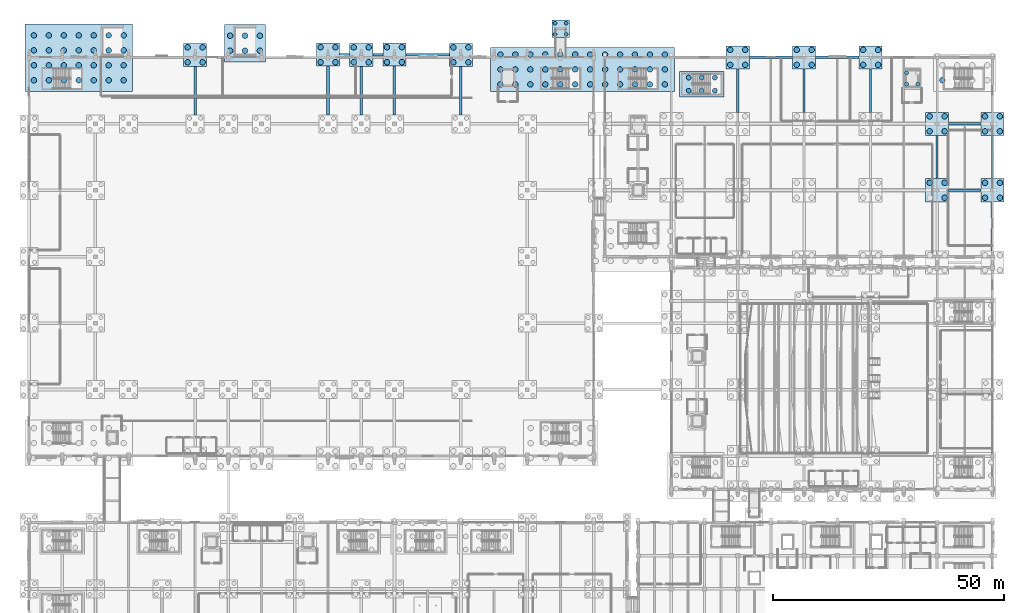
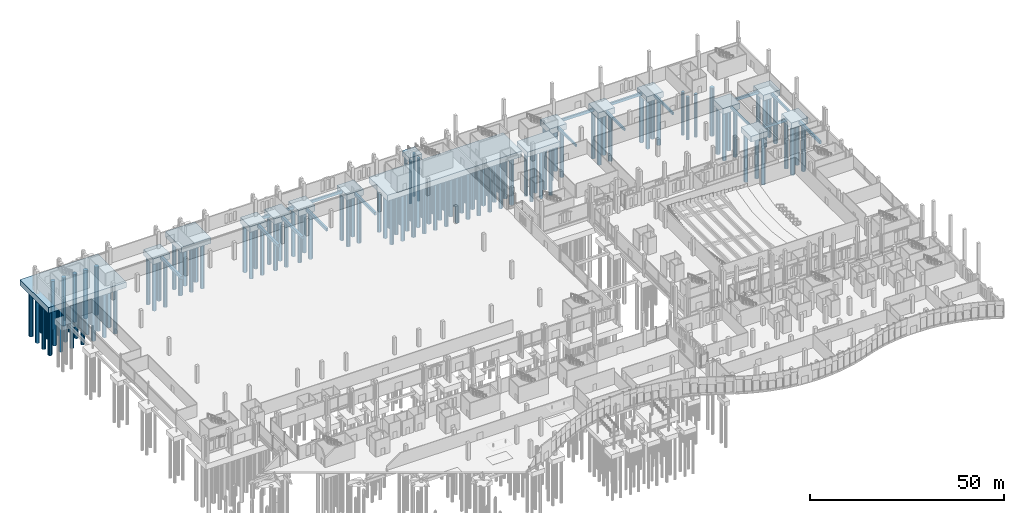
# One storey, part 7 of 192: 131 piles, 35 footings.
"""IFC4 building model written with IfcOpenShell, lengths in metres."""

from ifc_helpers import new_model, si_unit, direction, frame, origin, origin_2d, place, context, subcontext, project, spatial, rectangle, circle, extrude, material, material_profile, profile_set, type_object, element, save


model = new_model("IFC4")

# Units and contexts
model_context = context("Model", 3, precision=1e-05, world=origin(), true_north=direction((0.0, 1.0)))
body_context = subcontext(model_context, "Body", "Model", "MODEL_VIEW")
ifc_project = project(units=[si_unit("LENGTHUNIT", "METRE"), si_unit("AREAUNIT", "SQUARE_METRE"), si_unit("VOLUMEUNIT", "CUBIC_METRE"), si_unit("PLANEANGLEUNIT", "RADIAN"), si_unit("MASSUNIT", "GRAM", prefix="KILO")], contexts=[model_context])

# Site, building, storey
site_placement = place(None, origin())
site = spatial("IfcSite", under=ifc_project, at=site_placement, CompositionType="ELEMENT")
building_placement = place(site_placement, origin())
building = spatial("IfcBuilding", under=site, at=building_placement, Name="Cendralis Lancet Convention Centre", CompositionType="ELEMENT")
storey_placement = place(building_placement, origin())
storey = spatial("IfcBuildingStorey", under=building, at=storey_placement, Name="L00", CompositionType="ELEMENT", Elevation=0.0)

# Footings
ifc_material = material(Name="Concrete G35 (C35/45)", Category="concrete")
footing_type_1 = type_object("IfcFootingType", Name="STR-FT-PC12", PredefinedType="PILE_CAP", material=ifc_material)
footing_1_placement = place(storey_placement, frame((145.800048828125, 130.989990234375, -3.300048828125), z_axis=(0.0, 0.0, 1.0), x_axis=(1.0, 0.0, 0.0)))
element("IfcFooting", 1, at=footing_1_placement, inside=storey, type_object=footing_type_1, Name="Pile Cap PC-12 #160", PredefinedType="PILE_CAP", context=body_context, shape_type="SweptSolid", body=[
    extrude(rectangle(XDim=9.60009765625, YDim=5.60009765625, at=origin_2d()), origin(), (0.0, 0.0, 1.0), 1.64990234375),
])
footing_type_2 = type_object("IfcFootingType", Name="STR-FT-PC14", PredefinedType="PILE_CAP", material=ifc_material)
footing_2_placement = place(storey_placement, frame((10.78759765625, 136.699951171875, -3.4501953125), z_axis=(0.0, 0.0, 1.0), x_axis=(1.0, 0.0, 0.0)))
element("IfcFooting", 2, at=footing_2_placement, inside=storey, type_object=footing_type_2, Name="Pile Cap PC-14 #054", PredefinedType="PILE_CAP", context=body_context, shape_type="SweptSolid", body=[
    extrude(rectangle(XDim=23.199951171875, YDim=14.60009765625, at=origin_2d()), origin(), (0.0, 0.0, 1.0), 1.800048828125),
])
footing_type_3 = type_object("IfcFootingType", Name="STR-FT-PC16", PredefinedType="PILE_CAP", material=ifc_material)
for number, where, z_axis, x_axis, name in (
    (3, (36.0, 137.35498046875, -3.4501953125), (0.0, 0.0, 1.0), (1.0, 0.0, 0.0), "Pile Cap PC-16 #073"),
    (4, (64.800048828125, 137.3798828125, -3.4501953125), (0.0, 0.0, 1.0), (1.0, 0.0, 0.0), "Pile Cap PC-16 #096"),
    (5, (72.0, 137.35498046875, -3.4501953125), (0.0, 0.0, 1.0), (1.0, 0.0, 0.0), "Pile Cap PC-16 #104"),
    (6, (79.199951171875, 137.3798828125, -3.4501953125), (0.0, 0.0, 1.0), (1.0, 0.0, 0.0), "Pile Cap PC-16 #111"),
    (7, (93.60009765625, 137.35498046875, -3.4501953125), (0.0, 0.0, 1.0), (1.0, 0.0, 0.0), "Pile Cap PC-16 #118"),
    (8, (153.60009765625, 136.800048828125, -3.4501953125), (0.0, 0.0, 1.0), (1.0, 0.0, 0.0), "Pile Cap PC-16 #170"),
    (9, (168.0, 136.800048828125, -3.4501953125), (0.0, 0.0, 1.0), (1.0, 0.0, 0.0), "Pile Cap PC-16 #180"),
    (10, (182.39990234375, 136.800048828125, -3.4501953125), (0.0, 0.0, 1.0), (1.0, 0.0, 0.0), "Pile Cap PC-16 #191"),
    (11, (196.800048828125, 108.0, -3.4501953125), (0.0, 0.0, 1.0), (1.0, 0.0, 0.0), "Pile Cap PC-16 #197"),
    (12, (196.800048828125, 122.39990234375, -3.4501953125), (0.0, 0.0, 1.0), (1.0, 0.0, 0.0), "Pile Cap PC-16 #198"),
    (13, (208.800048828125, 108.0, -3.4501953125), (0.0, 0.0, 1.0), (1.0, 0.0, 0.0), "Pile Cap PC-16 #204"),
    (14, (208.800048828125, 122.39990234375, -3.4501953125), (0.0, 0.0, 1.0), (1.0, 0.0, 0.0), "Pile Cap PC-16 #205"),
):
    element("IfcFooting", number, at=place(storey_placement, frame(where, z_axis=z_axis, x_axis=x_axis)), inside=storey, type_object=footing_type_3, Name=name, PredefinedType="PILE_CAP", context=body_context, shape_type="SweptSolid", body=[
        extrude(rectangle(XDim=5.0, YDim=5.0, at=origin_2d()), origin(), (0.0, 0.0, 1.0), 1.800048828125),
    ])
footing_type_4 = type_object("IfcFootingType", Name="STR-FT-PC17", PredefinedType="PILE_CAP", material=ifc_material)
footing_3_placement = place(storey_placement, frame((46.8125, 139.875, -3.4501953125), z_axis=(0.0, 0.0, 1.0), x_axis=(1.0, 0.0, 0.0)))
element("IfcFooting", 15, at=footing_3_placement, inside=storey, type_object=footing_type_4, Name="Pile Cap PC-17 #083", PredefinedType="PILE_CAP", context=body_context, shape_type="SweptSolid", body=[
    extrude(rectangle(XDim=8.800048828125, YDim=8.199951171875, at=origin_2d()), origin(), (0.0, 0.0, 1.0), 1.800048828125),
])
footing_type_5 = type_object("IfcFootingType", Name="STR-FT-PC20", PredefinedType="PILE_CAP", material=ifc_material)
footing_4_placement = place(storey_placement, frame((115.199951171875, 143.0, -3.14990234375), z_axis=(0.0, 0.0, 1.0), x_axis=(1.0, 0.0, 0.0)))
element("IfcFooting", 16, at=footing_4_placement, inside=storey, type_object=footing_type_5, Name="Pile Cap PC-20 #136", PredefinedType="PILE_CAP", context=body_context, shape_type="SweptSolid", body=[
    extrude(rectangle(XDim=3.800048828125, YDim=3.800048828125, at=origin_2d()), origin(), (0.0, 0.0, 1.0), 1.5),
])
footing_type_6 = type_object("IfcFootingType", Name="STR-FT-PC24", PredefinedType="PILE_CAP", material=ifc_material)
footing_5_placement = place(storey_placement, frame((119.987548828125, 134.179931640625, -3.4501953125), z_axis=(0.0, 0.0, 1.0), x_axis=(1.0, 0.0, 0.0)))
element("IfcFooting", 17, at=footing_5_placement, inside=storey, type_object=footing_type_6, Name="Pile Cap PC-24 #137", PredefinedType="PILE_CAP", context=body_context, shape_type="SweptSolid", body=[
    extrude(rectangle(XDim=39.89990234375, YDim=9.60009765625, at=origin_2d()), origin(), (0.0, 0.0, 1.0), 1.800048828125),
])
ifc_material_profile_1 = material_profile(ifc_material, rectangle(XDim=0.550048828125, YDim=0.89990234375, at=origin_2d()), Name="RCB 550x900")
ifc_profile_set_1 = profile_set([ifc_material_profile_1], Name="Concrete G35 (C35/45)")
footing_type_7 = type_object("IfcFootingType", Name="STR-GB-GB02", PredefinedType="FOOTING_BEAM", material=ifc_profile_set_1)
footing_6_placement = place(storey_placement, frame((36.0, 124.35009765625, -2.10009765625), z_axis=(0.0, 1.0, 0.0), x_axis=(-1.0, 0.0, 0.0)))
element("IfcFooting", 18, at=footing_6_placement, inside=storey, type_object=footing_type_7, Name="Ground Tie Beam GB02 Y-173", PredefinedType="FOOTING_BEAM", context=body_context, shape_type="SweptSolid", body=[
    extrude(rectangle(XDim=0.550048828125, YDim=0.89990234375, at=origin_2d()), origin(), (0.0, 0.0, 1.0), 10.5048828125),
])
footing_7_placement = place(storey_placement, frame((64.800048828125, 124.35009765625, -2.10009765625), z_axis=(0.0, 1.0, 0.0), x_axis=(-1.0, 0.0, 0.0)))
element("IfcFooting", 19, at=footing_7_placement, inside=storey, type_object=footing_type_7, Name="Ground Tie Beam GB02 Y-185", PredefinedType="FOOTING_BEAM", context=body_context, shape_type="SweptSolid", body=[
    extrude(rectangle(XDim=0.550048828125, YDim=0.89990234375, at=origin_2d()), origin(), (0.0, 0.0, 1.0), 10.52978515625),
])
footing_8_placement = place(storey_placement, frame((72.0, 124.35009765625, -2.10009765625), z_axis=(0.0, 1.0, 0.0), x_axis=(-1.0, 0.0, 0.0)))
element("IfcFooting", 20, at=footing_8_placement, inside=storey, type_object=footing_type_7, Name="Ground Tie Beam GB02 Y-189", PredefinedType="FOOTING_BEAM", context=body_context, shape_type="SweptSolid", body=[
    extrude(rectangle(XDim=0.550048828125, YDim=0.89990234375, at=origin_2d()), origin(), (0.0, 0.0, 1.0), 10.5048828125),
])
footing_9_placement = place(storey_placement, frame((79.199951171875, 124.35009765625, -2.10009765625), z_axis=(0.0, 1.0, 0.0), x_axis=(-1.0, 0.0, 0.0)))
element("IfcFooting", 21, at=footing_9_placement, inside=storey, type_object=footing_type_7, Name="Ground Tie Beam GB02 Y-193", PredefinedType="FOOTING_BEAM", context=body_context, shape_type="SweptSolid", body=[
    extrude(rectangle(XDim=0.550048828125, YDim=0.89990234375, at=origin_2d()), origin(), (0.0, 0.0, 1.0), 10.52978515625),
])
footing_10_placement = place(storey_placement, frame((93.60009765625, 124.35009765625, -2.10009765625), z_axis=(0.0, 1.0, 0.0), x_axis=(-1.0, 0.0, 0.0)))
element("IfcFooting", 22, at=footing_10_placement, inside=storey, type_object=footing_type_7, Name="Ground Tie Beam GB02 Y-196", PredefinedType="FOOTING_BEAM", context=body_context, shape_type="SweptSolid", body=[
    extrude(rectangle(XDim=0.550048828125, YDim=0.89990234375, at=origin_2d()), origin(), (0.0, 0.0, 1.0), 10.5048828125),
])
footing_11_placement = place(storey_placement, frame((208.800048828125, 94.800048828125, -2.10009765625), z_axis=(0.0, 1.0, 0.0), x_axis=(-1.0, 0.0, 0.0)))
element("IfcFooting", 23, at=footing_11_placement, inside=storey, type_object=footing_type_7, Name="Ground Tie Beam GB02 Y-237", PredefinedType="FOOTING_BEAM", context=body_context, shape_type="SweptSolid", body=[
    extrude(rectangle(XDim=0.550048828125, YDim=0.89990234375, at=origin_2d()), origin(), (0.0, 0.0, 1.0), 10.699951171875),
])
ifc_material_profile_2 = material_profile(ifc_material, rectangle(XDim=0.5, YDim=0.85009765625, at=origin_2d()), Name="RCB 500x850")
ifc_profile_set_2 = profile_set([ifc_material_profile_2], Name="Concrete G35 (C35/45)")
footing_type_8 = type_object("IfcFootingType", Name="STR-GB-GB03", PredefinedType="FOOTING_BEAM", material=ifc_profile_set_2)
for number, where, z_axis, x_axis, name in (
    (24, (199.300048828125, 108.0, -2.074951171875), (1.0, 0.0, 0.0), (0.0, 1.0, 0.0), "Ground Tie Beam GB03 X-108"),
    (25, (199.300048828125, 122.39990234375, -2.074951171875), (1.0, 0.0, 0.0), (0.0, 1.0, 0.0), "Ground Tie Beam GB03 X-125"),
):
    element("IfcFooting", number, at=place(storey_placement, frame(where, z_axis=z_axis, x_axis=x_axis)), inside=storey, type_object=footing_type_8, Name=name, PredefinedType="FOOTING_BEAM", context=body_context, shape_type="SweptSolid", body=[
        extrude(rectangle(XDim=0.5, YDim=0.85009765625, at=origin_2d()), origin(), (0.0, 0.0, 1.0), 7.0),
    ])
for number, where, z_axis, x_axis, name in (
    (26, (156.10009765625, 136.800048828125, -2.074951171875), (1.0, 0.0, 0.0), (0.0, 1.0, 0.0), "Ground Tie Beam GB03 X-126"),
    (27, (170.5, 136.800048828125, -2.074951171875), (1.0, 0.0, 0.0), (0.0, 1.0, 0.0), "Ground Tie Beam GB03 X-127"),
):
    element("IfcFooting", number, at=place(storey_placement, frame(where, z_axis=z_axis, x_axis=x_axis)), inside=storey, type_object=footing_type_8, Name=name, PredefinedType="FOOTING_BEAM", context=body_context, shape_type="SweptSolid", body=[
        extrude(rectangle(XDim=0.5, YDim=0.85009765625, at=origin_2d()), origin(), (0.0, 0.0, 1.0), 9.39990234375),
    ])
for number, where, z_axis, x_axis, name in (
    (28, (67.300048828125, 137.367431640625, -2.074951171875), (1.0, 0.0, 0.0), (0.0, 1.0, 0.0), "Ground Tie Beam GB03 X-128"),
    (29, (74.5, 137.367431640625, -2.074951171875), (1.0, 0.0, 0.0), (0.0, 1.0, 0.0), "Ground Tie Beam GB03 X-129"),
):
    element("IfcFooting", number, at=place(storey_placement, frame(where, z_axis=z_axis, x_axis=x_axis)), inside=storey, type_object=footing_type_8, Name=name, PredefinedType="FOOTING_BEAM", context=body_context, shape_type="SweptSolid", body=[
        extrude(rectangle(XDim=0.5, YDim=0.85009765625, at=origin_2d()), origin(), (0.0, 0.0, 1.0), 2.199951171875),
    ])
footing_12_placement = place(storey_placement, frame((81.699951171875, 137.367431640625, -2.074951171875), z_axis=(1.0, 0.0, 0.0), x_axis=(0.0, 1.0, 0.0)))
element("IfcFooting", 30, at=footing_12_placement, inside=storey, type_object=footing_type_8, Name="Ground Tie Beam GB03 X-130", PredefinedType="FOOTING_BEAM", context=body_context, shape_type="SweptSolid", body=[
    extrude(rectangle(XDim=0.5, YDim=0.85009765625, at=origin_2d()), origin(), (0.0, 0.0, 1.0), 9.400146484375),
])
ifc_material_profile_3 = material_profile(ifc_material, rectangle(XDim=0.449951171875, YDim=0.75, at=origin_2d()), Name="RCB 450x750")
ifc_profile_set_3 = profile_set([ifc_material_profile_3], Name="Concrete G35 (C35/45)")
footing_type_9 = type_object("IfcFootingType", Name="STR-GB-GB04", PredefinedType="FOOTING_BEAM", material=ifc_profile_set_3)
for number, where, z_axis, x_axis, name in (
    (31, (153.60009765625, 124.89990234375, -2.02490234375), (0.0, 1.0, 0.0), (-1.0, 0.0, 0.0), "Ground Tie Beam GB04 Y-221"),
    (32, (168.0, 124.89990234375, -2.02490234375), (0.0, 1.0, 0.0), (-1.0, 0.0, 0.0), "Ground Tie Beam GB04 Y-226"),
    (33, (182.39990234375, 124.89990234375, -2.02490234375), (0.0, 1.0, 0.0), (-1.0, 0.0, 0.0), "Ground Tie Beam GB04 Y-234"),
):
    element("IfcFooting", number, at=place(storey_placement, frame(where, z_axis=z_axis, x_axis=x_axis)), inside=storey, type_object=footing_type_9, Name=name, PredefinedType="FOOTING_BEAM", context=body_context, shape_type="SweptSolid", body=[
        extrude(rectangle(XDim=0.449951171875, YDim=0.75, at=origin_2d()), origin(), (0.0, 0.0, 1.0), 9.400146484375),
    ])
for number, where, z_axis, x_axis, name in (
    (34, (196.800048828125, 110.5, -2.02490234375), (0.0, 1.0, 0.0), (-1.0, 0.0, 0.0), "Ground Tie Beam GB04 Y-236"),
    (35, (208.800048828125, 110.5, -2.02490234375), (0.0, 1.0, 0.0), (-1.0, 0.0, 0.0), "Ground Tie Beam GB04 Y-238"),
):
    element("IfcFooting", number, at=place(storey_placement, frame(where, z_axis=z_axis, x_axis=x_axis)), inside=storey, type_object=footing_type_9, Name=name, PredefinedType="FOOTING_BEAM", context=body_context, shape_type="SweptSolid", body=[
        extrude(rectangle(XDim=0.449951171875, YDim=0.75, at=origin_2d()), origin(), (0.0, 0.0, 1.0), 9.39990234375),
    ])

# Piles
ifc_material_profile_4 = material_profile(ifc_material, circle(Radius=0.52490234375, at=origin_2d()), Name="BORED PILE D1050")
ifc_profile_set_4 = profile_set([ifc_material_profile_4], Name="Concrete G35 (C35/45)")
pile_type_1 = type_object("IfcPileType", Name="STR-PL-P1050", PredefinedType="BORED", material=ifc_profile_set_4)
for number, where, z_axis, x_axis, name in (
    (36, (142.9599609375, 129.570068359375, -3.14990234375), (0.0, 0.0, -1.0), (1.0, 0.0, 0.0), "Bored Pile P-1050 FT2-PC-12-160-P1"),
    (37, (142.9599609375, 132.409912109375, -3.14990234375), (0.0, 0.0, -1.0), (1.0, 0.0, 0.0), "Bored Pile P-1050 FT2-PC-12-160-P2"),
    (38, (145.800048828125, 129.570068359375, -3.14990234375), (0.0, 0.0, -1.0), (1.0, 0.0, 0.0), "Bored Pile P-1050 FT2-PC-12-160-P3"),
    (39, (145.800048828125, 132.409912109375, -3.14990234375), (0.0, 0.0, -1.0), (1.0, 0.0, 0.0), "Bored Pile P-1050 FT2-PC-12-160-P4"),
    (40, (148.639892578125, 129.570068359375, -3.14990234375), (0.0, 0.0, -1.0), (1.0, 0.0, 0.0), "Bored Pile P-1050 FT2-PC-12-160-P5"),
    (41, (148.639892578125, 132.409912109375, -3.14990234375), (0.0, 0.0, -1.0), (1.0, 0.0, 0.0), "Bored Pile P-1050 FT2-PC-12-160-P6"),
):
    element("IfcPile", number, at=place(storey_placement, frame(where, z_axis=z_axis, x_axis=x_axis)), inside=storey, type_object=pile_type_1, Name=name, PredefinedType="BORED", context=body_context, shape_type="SweptSolid", body=[
        extrude(circle(Radius=0.52490234375, at=origin_2d()), origin(), (0.0, 0.0, 1.0), 15.35009765625),
    ])
ifc_material_profile_5 = material_profile(ifc_material, circle(Radius=0.60009765625, at=origin_2d()), Name="BORED PILE D1200")
ifc_profile_set_5 = profile_set([ifc_material_profile_5], Name="Concrete G35 (C35/45)")
pile_type_2 = type_object("IfcPileType", Name="STR-PL-P1200", PredefinedType="BORED", material=ifc_profile_set_5)
for number, where, z_axis, x_axis, name in (
    (42, (1.0673828125, 131.840087890625, -3.300048828125), (0.0, 0.0, -1.0), (1.0, 0.0, 0.0), "Bored Pile P-1200 FT2-PC-14-054-P1"),
    (43, (1.0673828125, 135.080078125, -3.300048828125), (0.0, 0.0, -1.0), (1.0, 0.0, 0.0), "Bored Pile P-1200 FT2-PC-14-054-P2"),
    (44, (1.0673828125, 138.320068359375, -3.300048828125), (0.0, 0.0, -1.0), (1.0, 0.0, 0.0), "Bored Pile P-1200 FT2-PC-14-054-P3"),
    (45, (1.0673828125, 141.56005859375, -3.300048828125), (0.0, 0.0, -1.0), (1.0, 0.0, 0.0), "Bored Pile P-1200 FT2-PC-14-054-P4"),
    (46, (4.3076171875, 131.840087890625, -3.300048828125), (0.0, 0.0, -1.0), (1.0, 0.0, 0.0), "Bored Pile P-1200 FT2-PC-14-054-P5"),
    (47, (4.3076171875, 135.080078125, -3.300048828125), (0.0, 0.0, -1.0), (1.0, 0.0, 0.0), "Bored Pile P-1200 FT2-PC-14-054-P6"),
    (48, (4.3076171875, 138.320068359375, -3.300048828125), (0.0, 0.0, -1.0), (1.0, 0.0, 0.0), "Bored Pile P-1200 FT2-PC-14-054-P7"),
    (49, (4.3076171875, 141.56005859375, -3.300048828125), (0.0, 0.0, -1.0), (1.0, 0.0, 0.0), "Bored Pile P-1200 FT2-PC-14-054-P8"),
    (50, (7.547607421875, 131.840087890625, -3.300048828125), (0.0, 0.0, -1.0), (1.0, 0.0, 0.0), "Bored Pile P-1200 FT2-PC-14-054-P9"),
    (51, (7.547607421875, 135.080078125, -3.300048828125), (0.0, 0.0, -1.0), (1.0, 0.0, 0.0), "Bored Pile P-1200 FT2-PC-14-054-P10"),
    (52, (7.547607421875, 138.320068359375, -3.300048828125), (0.0, 0.0, -1.0), (1.0, 0.0, 0.0), "Bored Pile P-1200 FT2-PC-14-054-P11"),
    (53, (7.547607421875, 141.56005859375, -3.300048828125), (0.0, 0.0, -1.0), (1.0, 0.0, 0.0), "Bored Pile P-1200 FT2-PC-14-054-P12"),
    (54, (10.78759765625, 131.840087890625, -3.300048828125), (0.0, 0.0, -1.0), (1.0, 0.0, 0.0), "Bored Pile P-1200 FT2-PC-14-054-P13"),
    (55, (10.78759765625, 135.080078125, -3.300048828125), (0.0, 0.0, -1.0), (1.0, 0.0, 0.0), "Bored Pile P-1200 FT2-PC-14-054-P14"),
    (56, (10.78759765625, 138.320068359375, -3.300048828125), (0.0, 0.0, -1.0), (1.0, 0.0, 0.0), "Bored Pile P-1200 FT2-PC-14-054-P15"),
    (57, (10.78759765625, 141.56005859375, -3.300048828125), (0.0, 0.0, -1.0), (1.0, 0.0, 0.0), "Bored Pile P-1200 FT2-PC-14-054-P16"),
    (58, (14.027587890625, 131.840087890625, -3.300048828125), (0.0, 0.0, -1.0), (1.0, 0.0, 0.0), "Bored Pile P-1200 FT2-PC-14-054-P17"),
    (59, (14.027587890625, 135.080078125, -3.300048828125), (0.0, 0.0, -1.0), (1.0, 0.0, 0.0), "Bored Pile P-1200 FT2-PC-14-054-P18"),
    (60, (14.027587890625, 138.320068359375, -3.300048828125), (0.0, 0.0, -1.0), (1.0, 0.0, 0.0), "Bored Pile P-1200 FT2-PC-14-054-P19"),
    (61, (14.027587890625, 141.56005859375, -3.300048828125), (0.0, 0.0, -1.0), (1.0, 0.0, 0.0), "Bored Pile P-1200 FT2-PC-14-054-P20"),
    (62, (17.267578125, 131.840087890625, -3.300048828125), (0.0, 0.0, -1.0), (1.0, 0.0, 0.0), "Bored Pile P-1200 FT2-PC-14-054-P21"),
    (63, (17.267578125, 135.080078125, -3.300048828125), (0.0, 0.0, -1.0), (1.0, 0.0, 0.0), "Bored Pile P-1200 FT2-PC-14-054-P22"),
    (64, (17.267578125, 138.320068359375, -3.300048828125), (0.0, 0.0, -1.0), (1.0, 0.0, 0.0), "Bored Pile P-1200 FT2-PC-14-054-P23"),
    (65, (17.267578125, 141.56005859375, -3.300048828125), (0.0, 0.0, -1.0), (1.0, 0.0, 0.0), "Bored Pile P-1200 FT2-PC-14-054-P24"),
    (66, (20.507568359375, 131.840087890625, -3.300048828125), (0.0, 0.0, -1.0), (1.0, 0.0, 0.0), "Bored Pile P-1200 FT2-PC-14-054-P25"),
    (67, (20.507568359375, 135.080078125, -3.300048828125), (0.0, 0.0, -1.0), (1.0, 0.0, 0.0), "Bored Pile P-1200 FT2-PC-14-054-P26"),
    (68, (20.507568359375, 138.320068359375, -3.300048828125), (0.0, 0.0, -1.0), (1.0, 0.0, 0.0), "Bored Pile P-1200 FT2-PC-14-054-P27"),
    (69, (20.507568359375, 141.56005859375, -3.300048828125), (0.0, 0.0, -1.0), (1.0, 0.0, 0.0), "Bored Pile P-1200 FT2-PC-14-054-P28"),
    (70, (34.3798828125, 135.735107421875, -3.300048828125), (0.0, 0.0, -1.0), (1.0, 0.0, 0.0), "Bored Pile P-1200 FT2-PC-16-073-P1"),
    (71, (34.3798828125, 138.97509765625, -3.300048828125), (0.0, 0.0, -1.0), (1.0, 0.0, 0.0), "Bored Pile P-1200 FT2-PC-16-073-P2"),
    (72, (37.6201171875, 135.735107421875, -3.300048828125), (0.0, 0.0, -1.0), (1.0, 0.0, 0.0), "Bored Pile P-1200 FT2-PC-16-073-P3"),
    (73, (37.6201171875, 138.97509765625, -3.300048828125), (0.0, 0.0, -1.0), (1.0, 0.0, 0.0), "Bored Pile P-1200 FT2-PC-16-073-P4"),
    (74, (43.572509765625, 138.2548828125, -3.300048828125), (0.0, 0.0, -1.0), (1.0, 0.0, 0.0), "Bored Pile P-1200 FT2-PC-17-083-P1"),
    (75, (43.572509765625, 141.4951171875, -3.300048828125), (0.0, 0.0, -1.0), (1.0, 0.0, 0.0), "Bored Pile P-1200 FT2-PC-17-083-P2"),
    (76, (46.8125, 138.2548828125, -3.300048828125), (0.0, 0.0, -1.0), (1.0, 0.0, 0.0), "Bored Pile P-1200 FT2-PC-17-083-P3"),
    (77, (46.8125, 141.4951171875, -3.300048828125), (0.0, 0.0, -1.0), (1.0, 0.0, 0.0), "Bored Pile P-1200 FT2-PC-17-083-P4"),
    (78, (50.052490234375, 138.2548828125, -3.300048828125), (0.0, 0.0, -1.0), (1.0, 0.0, 0.0), "Bored Pile P-1200 FT2-PC-17-083-P5"),
    (79, (50.052490234375, 141.4951171875, -3.300048828125), (0.0, 0.0, -1.0), (1.0, 0.0, 0.0), "Bored Pile P-1200 FT2-PC-17-083-P6"),
    (80, (63.179931640625, 135.760009765625, -3.300048828125), (0.0, 0.0, -1.0), (1.0, 0.0, 0.0), "Bored Pile P-1200 FT2-PC-16-096-P1"),
    (81, (63.179931640625, 139.0, -3.300048828125), (0.0, 0.0, -1.0), (1.0, 0.0, 0.0), "Bored Pile P-1200 FT2-PC-16-096-P2"),
    (82, (66.419921875, 135.760009765625, -3.300048828125), (0.0, 0.0, -1.0), (1.0, 0.0, 0.0), "Bored Pile P-1200 FT2-PC-16-096-P3"),
    (83, (66.419921875, 139.0, -3.300048828125), (0.0, 0.0, -1.0), (1.0, 0.0, 0.0), "Bored Pile P-1200 FT2-PC-16-096-P4"),
    (84, (70.3798828125, 135.735107421875, -3.300048828125), (0.0, 0.0, -1.0), (1.0, 0.0, 0.0), "Bored Pile P-1200 FT2-PC-16-104-P1"),
    (85, (70.3798828125, 138.97509765625, -3.300048828125), (0.0, 0.0, -1.0), (1.0, 0.0, 0.0), "Bored Pile P-1200 FT2-PC-16-104-P2"),
    (86, (73.6201171875, 135.735107421875, -3.300048828125), (0.0, 0.0, -1.0), (1.0, 0.0, 0.0), "Bored Pile P-1200 FT2-PC-16-104-P3"),
    (87, (73.6201171875, 138.97509765625, -3.300048828125), (0.0, 0.0, -1.0), (1.0, 0.0, 0.0), "Bored Pile P-1200 FT2-PC-16-104-P4"),
    (88, (77.580078125, 135.760009765625, -3.300048828125), (0.0, 0.0, -1.0), (1.0, 0.0, 0.0), "Bored Pile P-1200 FT2-PC-16-111-P1"),
    (89, (77.580078125, 139.0, -3.300048828125), (0.0, 0.0, -1.0), (1.0, 0.0, 0.0), "Bored Pile P-1200 FT2-PC-16-111-P2"),
    (90, (80.820068359375, 135.760009765625, -3.300048828125), (0.0, 0.0, -1.0), (1.0, 0.0, 0.0), "Bored Pile P-1200 FT2-PC-16-111-P3"),
    (91, (80.820068359375, 139.0, -3.300048828125), (0.0, 0.0, -1.0), (1.0, 0.0, 0.0), "Bored Pile P-1200 FT2-PC-16-111-P4"),
    (92, (91.97998046875, 135.735107421875, -3.300048828125), (0.0, 0.0, -1.0), (1.0, 0.0, 0.0), "Bored Pile P-1200 FT2-PC-16-118-P1"),
    (93, (91.97998046875, 138.97509765625, -3.300048828125), (0.0, 0.0, -1.0), (1.0, 0.0, 0.0), "Bored Pile P-1200 FT2-PC-16-118-P2"),
    (94, (95.219970703125, 135.735107421875, -3.300048828125), (0.0, 0.0, -1.0), (1.0, 0.0, 0.0), "Bored Pile P-1200 FT2-PC-16-118-P3"),
    (95, (95.219970703125, 138.97509765625, -3.300048828125), (0.0, 0.0, -1.0), (1.0, 0.0, 0.0), "Bored Pile P-1200 FT2-PC-16-118-P4"),
    (96, (102.16748046875, 130.93994140625, -3.300048828125), (0.0, 0.0, -1.0), (1.0, 0.0, 0.0), "Bored Pile P-1200 FT2-PC-24-137-P1"),
    (97, (102.16748046875, 134.179931640625, -3.300048828125), (0.0, 0.0, -1.0), (1.0, 0.0, 0.0), "Bored Pile P-1200 FT2-PC-24-137-P2"),
    (98, (102.16748046875, 137.419921875, -3.300048828125), (0.0, 0.0, -1.0), (1.0, 0.0, 0.0), "Bored Pile P-1200 FT2-PC-24-137-P3"),
    (99, (105.407470703125, 130.93994140625, -3.300048828125), (0.0, 0.0, -1.0), (1.0, 0.0, 0.0), "Bored Pile P-1200 FT2-PC-24-137-P4"),
    (100, (105.407470703125, 134.179931640625, -3.300048828125), (0.0, 0.0, -1.0), (1.0, 0.0, 0.0), "Bored Pile P-1200 FT2-PC-24-137-P5"),
    (101, (105.407470703125, 137.419921875, -3.300048828125), (0.0, 0.0, -1.0), (1.0, 0.0, 0.0), "Bored Pile P-1200 FT2-PC-24-137-P6"),
    (102, (108.6474609375, 130.93994140625, -3.300048828125), (0.0, 0.0, -1.0), (1.0, 0.0, 0.0), "Bored Pile P-1200 FT2-PC-24-137-P7"),
    (103, (108.6474609375, 134.179931640625, -3.300048828125), (0.0, 0.0, -1.0), (1.0, 0.0, 0.0), "Bored Pile P-1200 FT2-PC-24-137-P8"),
    (104, (108.6474609375, 137.419921875, -3.300048828125), (0.0, 0.0, -1.0), (1.0, 0.0, 0.0), "Bored Pile P-1200 FT2-PC-24-137-P9"),
    (105, (111.887451171875, 130.93994140625, -3.300048828125), (0.0, 0.0, -1.0), (1.0, 0.0, 0.0), "Bored Pile P-1200 FT2-PC-24-137-P10"),
    (106, (111.887451171875, 134.179931640625, -3.300048828125), (0.0, 0.0, -1.0), (1.0, 0.0, 0.0), "Bored Pile P-1200 FT2-PC-24-137-P11"),
    (107, (111.887451171875, 137.419921875, -3.300048828125), (0.0, 0.0, -1.0), (1.0, 0.0, 0.0), "Bored Pile P-1200 FT2-PC-24-137-P12"),
    (108, (115.12744140625, 130.93994140625, -3.300048828125), (0.0, 0.0, -1.0), (1.0, 0.0, 0.0), "Bored Pile P-1200 FT2-PC-24-137-P13"),
    (109, (115.12744140625, 134.179931640625, -3.300048828125), (0.0, 0.0, -1.0), (1.0, 0.0, 0.0), "Bored Pile P-1200 FT2-PC-24-137-P14"),
    (110, (115.12744140625, 137.419921875, -3.300048828125), (0.0, 0.0, -1.0), (1.0, 0.0, 0.0), "Bored Pile P-1200 FT2-PC-24-137-P15"),
    (111, (118.367431640625, 130.93994140625, -3.300048828125), (0.0, 0.0, -1.0), (1.0, 0.0, 0.0), "Bored Pile P-1200 FT2-PC-24-137-P16"),
    (112, (118.367431640625, 134.179931640625, -3.300048828125), (0.0, 0.0, -1.0), (1.0, 0.0, 0.0), "Bored Pile P-1200 FT2-PC-24-137-P17"),
    (113, (118.367431640625, 137.419921875, -3.300048828125), (0.0, 0.0, -1.0), (1.0, 0.0, 0.0), "Bored Pile P-1200 FT2-PC-24-137-P18"),
    (114, (121.607421875, 130.93994140625, -3.300048828125), (0.0, 0.0, -1.0), (1.0, 0.0, 0.0), "Bored Pile P-1200 FT2-PC-24-137-P19"),
    (115, (121.607421875, 134.179931640625, -3.300048828125), (0.0, 0.0, -1.0), (1.0, 0.0, 0.0), "Bored Pile P-1200 FT2-PC-24-137-P20"),
    (116, (121.607421875, 137.419921875, -3.300048828125), (0.0, 0.0, -1.0), (1.0, 0.0, 0.0), "Bored Pile P-1200 FT2-PC-24-137-P21"),
    (117, (124.847412109375, 130.93994140625, -3.300048828125), (0.0, 0.0, -1.0), (1.0, 0.0, 0.0), "Bored Pile P-1200 FT2-PC-24-137-P22"),
    (118, (124.847412109375, 134.179931640625, -3.300048828125), (0.0, 0.0, -1.0), (1.0, 0.0, 0.0), "Bored Pile P-1200 FT2-PC-24-137-P23"),
    (119, (124.847412109375, 137.419921875, -3.300048828125), (0.0, 0.0, -1.0), (1.0, 0.0, 0.0), "Bored Pile P-1200 FT2-PC-24-137-P24"),
    (120, (128.08740234375, 130.93994140625, -3.300048828125), (0.0, 0.0, -1.0), (1.0, 0.0, 0.0), "Bored Pile P-1200 FT2-PC-24-137-P25"),
    (121, (128.08740234375, 134.179931640625, -3.300048828125), (0.0, 0.0, -1.0), (1.0, 0.0, 0.0), "Bored Pile P-1200 FT2-PC-24-137-P26"),
    (122, (128.08740234375, 137.419921875, -3.300048828125), (0.0, 0.0, -1.0), (1.0, 0.0, 0.0), "Bored Pile P-1200 FT2-PC-24-137-P27"),
    (123, (131.327392578125, 130.93994140625, -3.300048828125), (0.0, 0.0, -1.0), (1.0, 0.0, 0.0), "Bored Pile P-1200 FT2-PC-24-137-P28"),
    (124, (131.327392578125, 134.179931640625, -3.300048828125), (0.0, 0.0, -1.0), (1.0, 0.0, 0.0), "Bored Pile P-1200 FT2-PC-24-137-P29"),
    (125, (131.327392578125, 137.419921875, -3.300048828125), (0.0, 0.0, -1.0), (1.0, 0.0, 0.0), "Bored Pile P-1200 FT2-PC-24-137-P30"),
    (126, (134.5673828125, 130.93994140625, -3.300048828125), (0.0, 0.0, -1.0), (1.0, 0.0, 0.0), "Bored Pile P-1200 FT2-PC-24-137-P31"),
    (127, (134.5673828125, 134.179931640625, -3.300048828125), (0.0, 0.0, -1.0), (1.0, 0.0, 0.0), "Bored Pile P-1200 FT2-PC-24-137-P32"),
    (128, (134.5673828125, 137.419921875, -3.300048828125), (0.0, 0.0, -1.0), (1.0, 0.0, 0.0), "Bored Pile P-1200 FT2-PC-24-137-P33"),
    (129, (137.8076171875, 130.93994140625, -3.300048828125), (0.0, 0.0, -1.0), (1.0, 0.0, 0.0), "Bored Pile P-1200 FT2-PC-24-137-P34"),
    (130, (137.8076171875, 134.179931640625, -3.300048828125), (0.0, 0.0, -1.0), (1.0, 0.0, 0.0), "Bored Pile P-1200 FT2-PC-24-137-P35"),
    (131, (137.8076171875, 137.419921875, -3.300048828125), (0.0, 0.0, -1.0), (1.0, 0.0, 0.0), "Bored Pile P-1200 FT2-PC-24-137-P36"),
    (132, (151.97998046875, 135.179931640625, -3.300048828125), (0.0, 0.0, -1.0), (1.0, 0.0, 0.0), "Bored Pile P-1200 FT2-PC-16-170-P1"),
    (133, (151.97998046875, 138.419921875, -3.300048828125), (0.0, 0.0, -1.0), (1.0, 0.0, 0.0), "Bored Pile P-1200 FT2-PC-16-170-P2"),
    (134, (155.219970703125, 135.179931640625, -3.300048828125), (0.0, 0.0, -1.0), (1.0, 0.0, 0.0), "Bored Pile P-1200 FT2-PC-16-170-P3"),
    (135, (155.219970703125, 138.419921875, -3.300048828125), (0.0, 0.0, -1.0), (1.0, 0.0, 0.0), "Bored Pile P-1200 FT2-PC-16-170-P4"),
    (136, (166.3798828125, 135.179931640625, -3.300048828125), (0.0, 0.0, -1.0), (1.0, 0.0, 0.0), "Bored Pile P-1200 FT2-PC-16-180-P1"),
    (137, (166.3798828125, 138.419921875, -3.300048828125), (0.0, 0.0, -1.0), (1.0, 0.0, 0.0), "Bored Pile P-1200 FT2-PC-16-180-P2"),
    (138, (169.6201171875, 135.179931640625, -3.300048828125), (0.0, 0.0, -1.0), (1.0, 0.0, 0.0), "Bored Pile P-1200 FT2-PC-16-180-P3"),
    (139, (169.6201171875, 138.419921875, -3.300048828125), (0.0, 0.0, -1.0), (1.0, 0.0, 0.0), "Bored Pile P-1200 FT2-PC-16-180-P4"),
    (140, (180.780029296875, 135.179931640625, -3.300048828125), (0.0, 0.0, -1.0), (1.0, 0.0, 0.0), "Bored Pile P-1200 FT2-PC-16-191-P1"),
    (141, (180.780029296875, 138.419921875, -3.300048828125), (0.0, 0.0, -1.0), (1.0, 0.0, 0.0), "Bored Pile P-1200 FT2-PC-16-191-P2"),
    (142, (184.02001953125, 135.179931640625, -3.300048828125), (0.0, 0.0, -1.0), (1.0, 0.0, 0.0), "Bored Pile P-1200 FT2-PC-16-191-P3"),
    (143, (184.02001953125, 138.419921875, -3.300048828125), (0.0, 0.0, -1.0), (1.0, 0.0, 0.0), "Bored Pile P-1200 FT2-PC-16-191-P4"),
    (144, (195.179931640625, 109.6201171875, -3.300048828125), (0.0, 0.0, -1.0), (1.0, 0.0, 0.0), "Bored Pile P-1200 FT2-PC-16-197-P2"),
    (145, (198.419921875, 106.3798828125, -3.300048828125), (0.0, 0.0, -1.0), (1.0, 0.0, 0.0), "Bored Pile P-1200 FT2-PC-16-197-P3"),
    (146, (198.419921875, 109.6201171875, -3.300048828125), (0.0, 0.0, -1.0), (1.0, 0.0, 0.0), "Bored Pile P-1200 FT2-PC-16-197-P4"),
    (147, (195.179931640625, 120.780029296875, -3.300048828125), (0.0, 0.0, -1.0), (1.0, 0.0, 0.0), "Bored Pile P-1200 FT2-PC-16-198-P1"),
    (148, (195.179931640625, 124.02001953125, -3.300048828125), (0.0, 0.0, -1.0), (1.0, 0.0, 0.0), "Bored Pile P-1200 FT2-PC-16-198-P2"),
    (149, (198.419921875, 120.780029296875, -3.300048828125), (0.0, 0.0, -1.0), (1.0, 0.0, 0.0), "Bored Pile P-1200 FT2-PC-16-198-P3"),
    (150, (198.419921875, 124.02001953125, -3.300048828125), (0.0, 0.0, -1.0), (1.0, 0.0, 0.0), "Bored Pile P-1200 FT2-PC-16-198-P4"),
    (151, (197.93994140625, 131.85498046875, -3.300048828125), (0.0, 0.0, -1.0), (1.0, 0.0, 0.0), "Bored Pile P-1200 FT2-PC-32-201-P1"),
    (152, (207.179931640625, 106.3798828125, -3.300048828125), (0.0, 0.0, -1.0), (1.0, 0.0, 0.0), "Bored Pile P-1200 FT2-PC-16-204-P1"),
    (153, (207.179931640625, 109.6201171875, -3.300048828125), (0.0, 0.0, -1.0), (1.0, 0.0, 0.0), "Bored Pile P-1200 FT2-PC-16-204-P2"),
    (154, (210.419921875, 106.3798828125, -3.300048828125), (0.0, 0.0, -1.0), (1.0, 0.0, 0.0), "Bored Pile P-1200 FT2-PC-16-204-P3"),
    (155, (210.419921875, 109.6201171875, -3.300048828125), (0.0, 0.0, -1.0), (1.0, 0.0, 0.0), "Bored Pile P-1200 FT2-PC-16-204-P4"),
    (156, (207.179931640625, 120.780029296875, -3.300048828125), (0.0, 0.0, -1.0), (1.0, 0.0, 0.0), "Bored Pile P-1200 FT2-PC-16-205-P1"),
    (157, (207.179931640625, 124.02001953125, -3.300048828125), (0.0, 0.0, -1.0), (1.0, 0.0, 0.0), "Bored Pile P-1200 FT2-PC-16-205-P2"),
    (158, (210.419921875, 120.780029296875, -3.300048828125), (0.0, 0.0, -1.0), (1.0, 0.0, 0.0), "Bored Pile P-1200 FT2-PC-16-205-P3"),
    (159, (210.419921875, 124.02001953125, -3.300048828125), (0.0, 0.0, -1.0), (1.0, 0.0, 0.0), "Bored Pile P-1200 FT2-PC-16-205-P4"),
):
    element("IfcPile", number, at=place(storey_placement, frame(where, z_axis=z_axis, x_axis=x_axis)), inside=storey, type_object=pile_type_2, Name=name, PredefinedType="BORED", context=body_context, shape_type="SweptSolid", body=[
        extrude(circle(Radius=0.60009765625, at=origin_2d()), origin(), (0.0, 0.0, 1.0), 15.199951171875),
    ])
ifc_material_profile_6 = material_profile(ifc_material, circle(Radius=0.39990234375, at=origin_2d()), Name="BORED PILE D800")
ifc_profile_set_6 = profile_set([ifc_material_profile_6], Name="Concrete G35 (C35/45)")
pile_type_3 = type_object("IfcPileType", Name="STR-PL-P800", PredefinedType="BORED", material=ifc_profile_set_6)
for number, where, z_axis, x_axis, name in (
    (160, (114.0, 141.800048828125, -3.0), (0.0, 0.0, -1.0), (1.0, 0.0, 0.0), "Bored Pile P-800 FT2-PC-20-136-P1"),
    (161, (114.0, 144.199951171875, -3.0), (0.0, 0.0, -1.0), (1.0, 0.0, 0.0), "Bored Pile P-800 FT2-PC-20-136-P2"),
    (162, (116.39990234375, 141.800048828125, -3.0), (0.0, 0.0, -1.0), (1.0, 0.0, 0.0), "Bored Pile P-800 FT2-PC-20-136-P3"),
    (163, (116.39990234375, 144.199951171875, -3.0), (0.0, 0.0, -1.0), (1.0, 0.0, 0.0), "Bored Pile P-800 FT2-PC-20-136-P4"),
):
    element("IfcPile", number, at=place(storey_placement, frame(where, z_axis=z_axis, x_axis=x_axis)), inside=storey, type_object=pile_type_3, Name=name, PredefinedType="BORED", context=body_context, shape_type="SweptSolid", body=[
        extrude(circle(Radius=0.39990234375, at=origin_2d()), origin(), (0.0, 0.0, 1.0), 13.5),
    ])
ifc_material_profile_7 = material_profile(ifc_material, circle(Radius=0.449951171875, at=origin_2d()), Name="BORED PILE D900")
ifc_profile_set_7 = profile_set([ifc_material_profile_7], Name="Concrete G35 (C35/45)")
pile_type_4 = type_object("IfcPileType", Name="STR-PL-P900", PredefinedType="BORED", material=ifc_profile_set_7)
for number, where, z_axis, x_axis, name in (
    (164, (190.18505859375, 130.985107421875, -3.0), (0.0, 0.0, -1.0), (1.0, 0.0, 0.0), "Bored Pile P-900 FT2-PC-28-194-P1"),
    (165, (190.18505859375, 133.4150390625, -3.0), (0.0, 0.0, -1.0), (1.0, 0.0, 0.0), "Bored Pile P-900 FT2-PC-28-194-P2"),
    (166, (192.614990234375, 130.985107421875, -3.0), (0.0, 0.0, -1.0), (1.0, 0.0, 0.0), "Bored Pile P-900 FT2-PC-28-194-P3"),
):
    element("IfcPile", number, at=place(storey_placement, frame(where, z_axis=z_axis, x_axis=x_axis)), inside=storey, type_object=pile_type_4, Name=name, PredefinedType="BORED", context=body_context, shape_type="SweptSolid", body=[
        extrude(circle(Radius=0.449951171875, at=origin_2d()), origin(), (0.0, 0.0, 1.0), 13.5),
    ])

save(model, "model.ifc")
